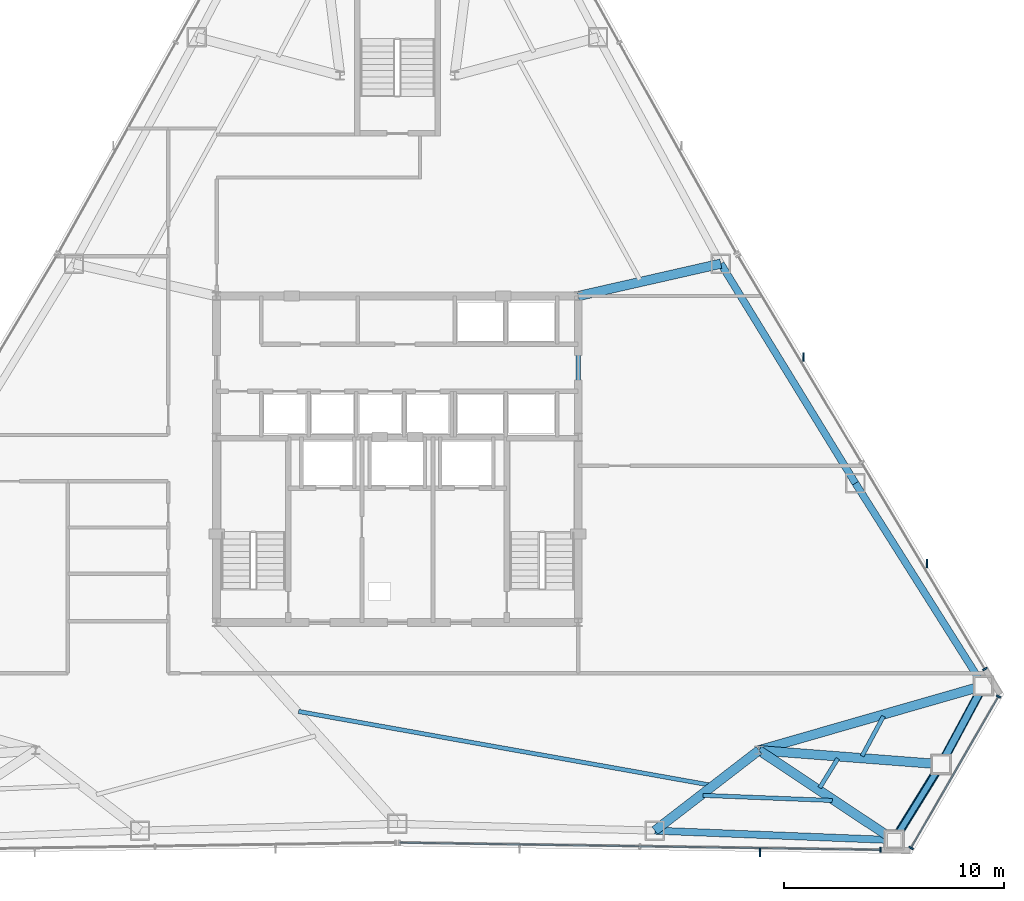
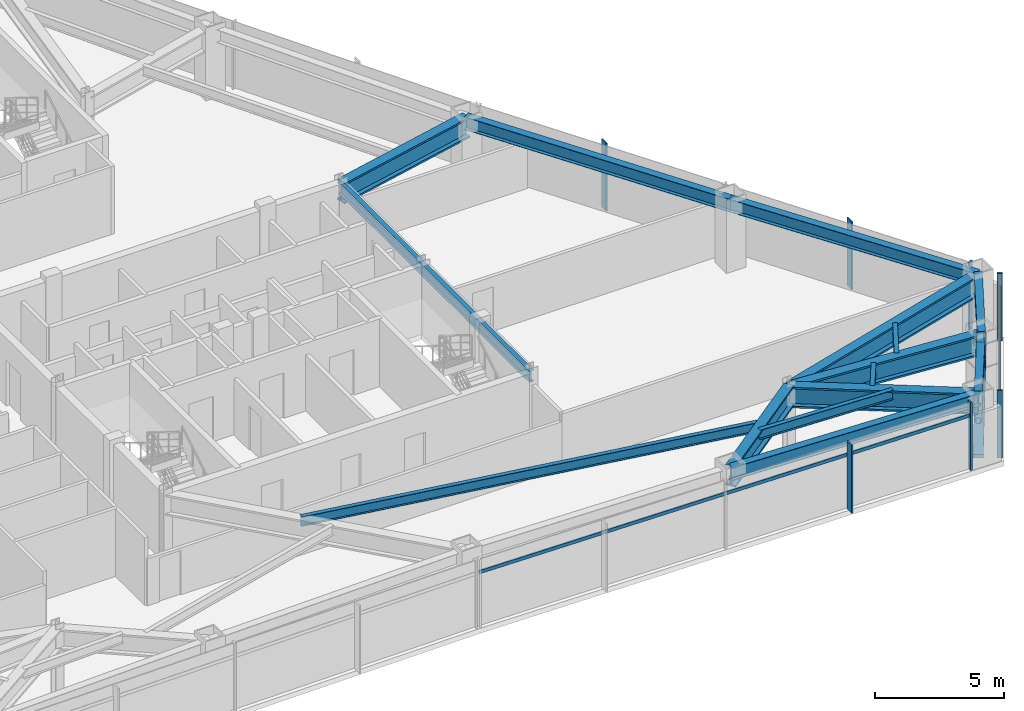
# One storey, part 6 of 13: 15 beams, 12 members, 3 elements without a shape of their own.
"""IFC4 building model written with IfcOpenShell, lengths in metres."""

from ifc_helpers import new_model, si_unit, direction, frame, origin, origin_2d, place, context, subcontext, project, spatial, rectangle, hollow_rectangle, hollow_circle, i_section, extrude, source, transform, mapped, material, layer, layer_set, material_profile, profile_set, type_object, type_shapes, element, aggregate, save


model = new_model("IFC4")

# Units and contexts
model_context = context("Model", 3, precision=1e-05, world=origin(), true_north=direction((0.0, 1.0)))
body_context = subcontext(model_context, "Body", "Model", "MODEL_VIEW")
ifc_project = project(units=[si_unit("LENGTHUNIT", "METRE"), si_unit("AREAUNIT", "SQUARE_METRE"), si_unit("VOLUMEUNIT", "CUBIC_METRE"), si_unit("PLANEANGLEUNIT", "RADIAN"), si_unit("MASSUNIT", "GRAM", prefix="KILO")], contexts=[model_context])

# Site, building, storey
site_placement = place(None, origin())
site = spatial("IfcSite", under=ifc_project, at=site_placement, CompositionType="ELEMENT")
building_placement = place(site_placement, origin())
building = spatial("IfcBuilding", under=site, at=building_placement, Name="Varakhsha Concourse Tower", CompositionType="ELEMENT")
storey_placement = place(building_placement, frame((0.0, 0.0, 147.050048828125)))
storey = spatial("IfcBuildingStorey", under=building, at=storey_placement, Name="L42", CompositionType="ELEMENT", Elevation=147.050048828125)

# Beams
ifc_material_1 = material(Name="Structural Steel ASTM A992 Grade 50", Category="steel")
ifc_material_profile_1 = material_profile(ifc_material_1, i_section(OverallWidth=0.19091796875, OverallDepth=0.45703125, WebThickness=0.009033203125, FlangeThickness=0.013916015625, at=origin_2d()), Name="W18X50")
ifc_profile_set_1 = profile_set([ifc_material_profile_1], Name="Structural Steel ASTM A992 Grade 50")
beam_type_1 = type_object("IfcBeamType", Name="BM-JST-W18X50", PredefinedType="JOIST", material=ifc_profile_set_1)
beam_1_placement = place(storey_placement, frame((35.516357421875, 12.360595703125, 2.9814453125), z_axis=(0.984372712142, -0.176097596777, 0.0), x_axis=(0.176097596777, 0.984372712142, 0.0)))
element("IfcBeam", 1, at=beam_1_placement, inside=storey, type_object=beam_type_1, Name="BM-TJST-L42-11", PredefinedType="JOIST", context=body_context, shape_type="SweptSolid", body=[
    extrude(i_section(OverallWidth=0.19091796875, OverallDepth=0.45703125, WebThickness=0.009033203125, FlangeThickness=0.013916015625, at=origin_2d()), origin(), (0.0, 0.0, 1.0), 18.99365234375),
])
beam_2_placement = place(storey_placement, frame((53.864501953125, 8.5546875, 2.9814453125), z_axis=(0.999213812378, -0.039645392572, 0.0), x_axis=(0.039645392572, 0.999213812378, 0.0)))
element("IfcBeam", 2, at=beam_2_placement, inside=storey, type_object=beam_type_1, Name="BM-TJST-L42-12", PredefinedType="JOIST", context=body_context, shape_type="SweptSolid", body=[
    extrude(i_section(OverallWidth=0.19091796875, OverallDepth=0.45703125, WebThickness=0.009033203125, FlangeThickness=0.013916015625, at=origin_2d()), origin(), (0.0, 0.0, 1.0), 5.862548828125),
])
beam_3_placement = place(storey_placement, frame((59.154541015625, 8.900390625, 2.9814453125), z_axis=(0.525799446458, 0.850608571615, 0.0), x_axis=(-0.850608571615, 0.525799446458, 0.0)))
element("IfcBeam", 3, at=beam_3_placement, inside=storey, type_object=beam_type_1, Name="BM-TJST-L42-13", PredefinedType="JOIST", context=body_context, shape_type="SweptSolid", body=[
    extrude(i_section(OverallWidth=0.19091796875, OverallDepth=0.45703125, WebThickness=0.009033203125, FlangeThickness=0.013916015625, at=origin_2d()), origin(), (0.0, 0.0, 1.0), 1.5595703125),
])
beam_4_placement = place(storey_placement, frame((61.075439453125, 10.34130859375, 2.9814453125), z_axis=(0.473665428996, 0.880704866215, 0.0), x_axis=(-0.880704866215, 0.473665428996, 0.0)))
element("IfcBeam", 4, at=beam_4_placement, inside=storey, type_object=beam_type_1, Name="BM-TJST-L42-14", PredefinedType="JOIST", context=body_context, shape_type="SweptSolid", body=[
    extrude(i_section(OverallWidth=0.19091796875, OverallDepth=0.45703125, WebThickness=0.009033203125, FlangeThickness=0.013916015625, at=origin_2d()), origin(), (0.0, 0.0, 1.0), 2.044677734375),
])
ifc_material_profile_2 = material_profile(ifc_material_1, i_section(OverallWidth=0.2109375, OverallDepth=0.5390625, WebThickness=0.011962890625, FlangeThickness=0.01904296875, at=origin_2d()), Name="W21X73")
ifc_profile_set_2 = profile_set([ifc_material_profile_2], Name="Structural Steel ASTM A992 Grade 50")
beam_type_2 = type_object("IfcBeamType", Name="BM-RAD-W21X73", PredefinedType="BEAM", material=ifc_profile_set_2)
beam_5_placement = place(storey_placement, frame((48.199951171875, 16.39990234375, 2.9404296875), z_axis=(0.0, 1.0, 0.0), x_axis=(-1.0, 0.0, 0.0)))
element("IfcBeam", 5, at=beam_5_placement, inside=storey, type_object=beam_type_2, Name="BM-TCORE-L42-CE", PredefinedType="BEAM", context=body_context, shape_type="SweptSolid", body=[
    extrude(i_section(OverallWidth=0.2109375, OverallDepth=0.5390625, WebThickness=0.011962890625, FlangeThickness=0.01904296875, at=origin_2d()), origin(), (0.0, 0.0, 1.0), 14.800048828125),
])
ifc_material_profile_3 = material_profile(ifc_material_1, i_section(OverallWidth=0.323974609375, OverallDepth=0.611083984375, WebThickness=0.012939453125, FlangeThickness=0.01904296875, at=origin_2d()), Name="W24X104")
ifc_profile_set_3 = profile_set([ifc_material_profile_3], Name="Structural Steel ASTM A992 Grade 50")
beam_type_3 = type_object("IfcBeamType", Name="BM-SPAN-W24X104", PredefinedType="SPANDREL", material=ifc_profile_set_3)
beam_6_placement = place(storey_placement, frame((51.67578125, 6.95556640625, 2.904541015625), z_axis=(0.999212728307, -0.039672705841, 0.0), x_axis=(0.039672705841, 0.999212728307, 0.0)))
element("IfcBeam", 6, at=beam_6_placement, inside=storey, type_object=beam_type_3, Name="BM-SPAN-L42-12", PredefinedType="SPANDREL", context=body_context, shape_type="SweptSolid", body=[
    extrude(i_section(OverallWidth=0.323974609375, OverallDepth=0.611083984375, WebThickness=0.012939453125, FlangeThickness=0.01904296875, at=origin_2d()), origin(), (0.0, 0.0, 1.0), 10.861572265625),
])
beam_7_placement = place(storey_placement, frame((62.52880859375, 6.524658203125, 2.904541015625), z_axis=(0.525874503709, 0.850562170772, 0.0), x_axis=(-0.850562170772, 0.525874503709, 0.0)))
element("IfcBeam", 7, at=beam_7_placement, inside=storey, type_object=beam_type_3, Name="BM-SPAN-L42-13", PredefinedType="SPANDREL", context=body_context, shape_type="SweptSolid", body=[
    extrude(i_section(OverallWidth=0.323974609375, OverallDepth=0.611083984375, WebThickness=0.012939453125, FlangeThickness=0.01904296875, at=origin_2d()), origin(), (0.0, 0.0, 1.0), 4.044677734375),
])
beam_8_placement = place(storey_placement, frame((64.65576171875, 9.96484375, 2.904541015625), z_axis=(0.473693045158, 0.880690012984, 0.0), x_axis=(-0.880690012984, 0.473693045158, 0.0)))
element("IfcBeam", 8, at=beam_8_placement, inside=storey, type_object=beam_type_3, Name="BM-SPAN-L42-14", PredefinedType="SPANDREL", context=body_context, shape_type="SweptSolid", body=[
    extrude(i_section(OverallWidth=0.323974609375, OverallDepth=0.611083984375, WebThickness=0.012939453125, FlangeThickness=0.01904296875, at=origin_2d()), origin(), (0.0, 0.0, 1.0), 4.044921875),
])
beam_9_placement = place(storey_placement, frame((66.57177734375, 13.527099609375, 2.904541015625), z_axis=(-0.533969312185, 0.845503857853, 0.0), x_axis=(-0.845503857853, -0.533969312185, 0.0)))
element("IfcBeam", 9, at=beam_9_placement, inside=storey, type_object=beam_type_3, Name="BM-SPAN-L42-15", PredefinedType="SPANDREL", context=body_context, shape_type="SweptSolid", body=[
    extrude(i_section(OverallWidth=0.323974609375, OverallDepth=0.611083984375, WebThickness=0.012939453125, FlangeThickness=0.01904296875, at=origin_2d()), origin(), (0.0, 0.0, 1.0), 10.861572265625),
])
beam_10_placement = place(storey_placement, frame((60.77197265625, 22.710693359375, 2.904541015625), z_axis=(-0.522655184814, 0.852544167646, 0.0), x_axis=(-0.852544167646, -0.522655184814, 0.0)))
element("IfcBeam", 10, at=beam_10_placement, inside=storey, type_object=beam_type_3, Name="BM-SPAN-L42-16", PredefinedType="SPANDREL", context=body_context, shape_type="SweptSolid", body=[
    extrude(i_section(OverallWidth=0.323974609375, OverallDepth=0.611083984375, WebThickness=0.012939453125, FlangeThickness=0.01904296875, at=origin_2d()), origin(), (0.0, 0.0, 1.0), 11.6796875),
])
ifc_material_profile_4 = material_profile(ifc_material_1, i_section(OverallWidth=0.427978515625, OverallDepth=0.97509765625, WebThickness=0.050048828125, FlangeThickness=0.0810546875, at=origin_2d()), Name="W36X395")
ifc_profile_set_4 = profile_set([ifc_material_profile_4], Name="Structural Steel ASTM A992 Grade 50")
beam_type_4 = type_object("IfcBeamType", Name="BM-XFER-W36X395", PredefinedType="USERDEFINED", material=ifc_profile_set_4)
beam_11_placement = place(storey_placement, frame((56.39990234375, 10.60009765625, 2.722412109375), z_axis=(-0.791765293301, -0.610825441778, 0.0), x_axis=(0.610825441778, -0.791765293301, 0.0)))
element("IfcBeam", 11, at=beam_11_placement, inside=storey, type_object=beam_type_4, Name="L42 Radial Floor Girder 12", ObjectType="GIRDER", PredefinedType="USERDEFINED", context=body_context, shape_type="SweptSolid", body=[
    extrude(i_section(OverallWidth=0.427978515625, OverallDepth=0.97509765625, WebThickness=0.050048828125, FlangeThickness=0.0810546875, at=origin_2d()), origin(), (0.0, 0.0, 1.0), 5.966552734375),
])
beam_12_placement = place(storey_placement, frame((56.39990234375, 10.60009765625, 2.722412109375), z_axis=(0.832708011905, -0.553712350332, 0.0), x_axis=(0.553712350332, 0.832708011905, 0.0)))
element("IfcBeam", 12, at=beam_12_placement, inside=storey, type_object=beam_type_4, Name="L42 Radial Floor Girder 13", ObjectType="GIRDER", PredefinedType="USERDEFINED", context=body_context, shape_type="SweptSolid", body=[
    extrude(i_section(OverallWidth=0.427978515625, OverallDepth=0.97509765625, WebThickness=0.050048828125, FlangeThickness=0.0810546875, at=origin_2d()), origin(), (0.0, 0.0, 1.0), 7.360107421875),
])
beam_13_placement = place(storey_placement, frame((56.39990234375, 10.60009765625, 2.722412109375), z_axis=(0.997052750856, -0.076719045946, 0.0), x_axis=(0.076719045946, 0.997052750856, 0.0)))
element("IfcBeam", 13, at=beam_13_placement, inside=storey, type_object=beam_type_4, Name="L42 Radial Floor Girder 14", ObjectType="GIRDER", PredefinedType="USERDEFINED", context=body_context, shape_type="SweptSolid", body=[
    extrude(i_section(OverallWidth=0.427978515625, OverallDepth=0.97509765625, WebThickness=0.050048828125, FlangeThickness=0.0810546875, at=origin_2d()), origin(), (0.0, 0.0, 1.0), 8.2802734375),
])
beam_14_placement = place(storey_placement, frame((56.39990234375, 10.60009765625, 2.722412109375), z_axis=(0.961004351566, 0.27653324623, 0.0), x_axis=(-0.27653324623, 0.961004351566, 0.0)))
element("IfcBeam", 14, at=beam_14_placement, inside=storey, type_object=beam_type_4, Name="L42 Radial Floor Girder 15", ObjectType="GIRDER", PredefinedType="USERDEFINED", context=body_context, shape_type="SweptSolid", body=[
    extrude(i_section(OverallWidth=0.427978515625, OverallDepth=0.97509765625, WebThickness=0.050048828125, FlangeThickness=0.0810546875, at=origin_2d()), origin(), (0.0, 0.0, 1.0), 10.584716796875),
])
beam_15_placement = place(storey_placement, frame((48.199951171875, 31.199951171875, 2.722412109375), z_axis=(0.97518598452, 0.221387207388, 0.0), x_axis=(-0.221387207388, 0.97518598452, 0.0)))
element("IfcBeam", 15, at=beam_15_placement, inside=storey, type_object=beam_type_4, Name="L42 Radial Floor Girder 17", ObjectType="GIRDER", PredefinedType="USERDEFINED", context=body_context, shape_type="SweptSolid", body=[
    extrude(i_section(OverallWidth=0.427978515625, OverallDepth=0.97509765625, WebThickness=0.050048828125, FlangeThickness=0.0810546875, at=origin_2d()), origin(), (0.0, 0.0, 1.0), 6.632080078125),
])

# Members
ifc_material_2 = material(Name="Structural Steel ASTM A500 Grade C", Category="steel")
ifc_material_profile_5 = material_profile(ifc_material_2, hollow_rectangle(XDim=0.39990234375, YDim=0.39990234375, WallThickness=0.01611328125, at=origin_2d()), Name="HSS 400x400x16")
ifc_profile_set_5 = profile_set([ifc_material_profile_5], Name="Structural Steel ASTM A500 Grade C")
member_type_1 = type_object("IfcMemberType", Name="MB-TUBE-HSS400", PredefinedType="BRACE", material=ifc_profile_set_5)
shared_shape_1 = source(origin(), body_context, "Body", "SweptSolid", [
    extrude(hollow_rectangle(XDim=0.39990234375, YDim=0.39990234375, WallThickness=0.01611328125, at=origin_2d()), origin(), (0.0, 0.0, 1.0), 4.91357421875),
])
member_1_placement = place(storey_placement, frame((62.52880859375, 6.524658203125, 0.119873046875), z_axis=(0.4328736846, 0.70014039138, 0.567823745135), x_axis=(-0.850562170772, 0.525874503709, 0.0)))
element("IfcMember", 16, at=member_1_placement, inside=storey, type_object=member_type_1, Name="L42 Wind-Corner Tube Brace B05", PredefinedType="BRACE", context=body_context, shape_type="MappedRepresentation", body=[
    mapped(shared_shape_1, transform((0.0, 0.0, 0.0), scale=1.0)),
])
shared_shape_2 = source(origin(), body_context, "Body", "SweptSolid", [
    extrude(hollow_rectangle(XDim=0.39990234375, YDim=0.39990234375, WallThickness=0.01611328125, at=origin_2d()), origin(), (0.0, 0.0, 1.0), 4.913818359375),
])
type_shapes(member_type_1, [shared_shape_1, shared_shape_2])
member_2_placement = place(storey_placement, frame((66.57177734375, 13.527099609375, 0.119873046875), z_axis=(-0.389928102475, -0.724954248626, 0.567800503961), x_axis=(0.880690012984, -0.473693045158, 0.0)))
element("IfcMember", 17, at=member_2_placement, inside=storey, type_object=member_type_1, Name="L42 Wind-Corner Tube Brace B06", PredefinedType="BRACE", context=body_context, shape_type="MappedRepresentation", body=[
    mapped(shared_shape_2, transform((0.0, 0.0, 0.0), scale=1.0)),
])
ifc_material_profile_6 = material_profile(ifc_material_2, hollow_circle(Radius=0.136474609375, WallThickness=0.011962890625, at=origin_2d()), Name="CHS 273x12")
ifc_profile_set_6 = profile_set([ifc_material_profile_6], Name="Structural Steel ASTM A500 Grade C")
member_type_2 = type_object("IfcMemberType", Name="MB-WIND-CHS273", PredefinedType="COLLAR", material=ifc_profile_set_6)
shared_shape_3 = source(origin(), body_context, "Body", "SweptSolid", [
    extrude(hollow_circle(Radius=0.136474609375, WallThickness=0.011962890625, at=origin_2d()), origin(), (0.0, 0.0, 1.0), 4.044677734375),
])
type_shapes(member_type_2, [shared_shape_3])
member_3_placement = place(storey_placement, frame((62.52880859375, 6.524658203125, 1.800048828125), z_axis=(0.525874503709, 0.850562170772, 0.0), x_axis=(-0.850562170772, 0.525874503709, 0.0)))
element("IfcMember", 18, at=member_3_placement, inside=storey, type_object=member_type_2, Name="L42 Wind-Corner Collar Tie 3", PredefinedType="COLLAR", context=body_context, shape_type="MappedRepresentation", body=[
    mapped(shared_shape_3, transform((0.0, 0.0, 0.0), scale=1.0)),
])

# Curtain wall, member
ifc_material_3 = material(Name="Anodised Bronze Architectural Aluminium AA 6063-T6", Category="aluminium")
ifc_layer = layer(ifc_material_3, 0.2099609375, Name="CW-SYS-04")
ifc_layer_set = layer_set([ifc_layer], Name="Anodised Bronze Architectural Aluminium AA 6063-T6")
curtain_wall_type = type_object("IfcCurtainWallType", Name="CW-SYS-04", PredefinedType="NOTDEFINED", material=ifc_layer_set)
curtain_wall_1_placement = place(storey_placement, origin())
curtain_wall_1 = element("IfcCurtainWall", 19, at=curtain_wall_1_placement, inside=storey, type_object=curtain_wall_type, Name="L42 Crystal Curtain Wall F6", PredefinedType="NOTDEFINED")
ifc_material_profile_7 = material_profile(ifc_material_3, rectangle(XDim=0.074951171875, YDim=0.219970703125, at=origin_2d()), Name="CWM-220X75")
ifc_profile_set_7 = profile_set([ifc_material_profile_7], Name="Anodised Bronze Architectural Aluminium AA 6063-T6")
member_type_3 = type_object("IfcMemberType", Name="CWM-220X75", PredefinedType="MULLION", material=ifc_profile_set_7)
shared_shape_4 = source(origin(), body_context, "Body", "SweptSolid", [
    extrude(rectangle(XDim=0.074951171875, YDim=0.219970703125, at=origin_2d()), origin(), (0.0, 0.0, 1.0), 3.2099609375),
])
type_shapes(member_type_3, [shared_shape_4])
member_4_placement = place(storey_placement, frame((61.90771484375, 6.081298828125, 0.0), z_axis=(0.0, 0.0, 1.0), x_axis=(-0.99988654105, 0.015063367057, 0.0)))
member_4 = element("IfcMember", 20, at=member_4_placement, type_object=member_type_3, Name="CW-L42-F6 Mullion 00", PredefinedType="MULLION", context=body_context, shape_type="MappedRepresentation", body=[
    mapped(shared_shape_4, transform((0.0, 0.0, 0.0), scale=1.0)),
])

# Curtain wall, members
curtain_wall_2_placement = place(storey_placement, origin())
curtain_wall_2 = element("IfcCurtainWall", 21, at=curtain_wall_2_placement, inside=storey, type_object=curtain_wall_type, Name="L42 Chamfer Curtain Wall F7", PredefinedType="NOTDEFINED")
member_5_placement = place(storey_placement, frame((67.26220703125, 13.039306640625, 0.0), z_axis=(0.0, 0.0, 1.0), x_axis=(-0.5, -0.866025403784, 0.0)))
member_5 = element("IfcMember", 22, at=member_5_placement, type_object=member_type_3, Name="CW-L42-F7 Mullion 00", PredefinedType="MULLION", context=body_context, shape_type="MappedRepresentation", body=[
    mapped(shared_shape_4, transform((0.0, 0.0, 0.0), scale=1.0)),
])
member_6_placement = place(storey_placement, frame((63.29638671875, 6.17041015625, 0.0), z_axis=(0.0, 0.0, 1.0), x_axis=(-0.5, -0.866025403784, 0.0)))
member_6 = element("IfcMember", 23, at=member_6_placement, type_object=member_type_3, Name="CW-L42-F7 Mullion 01", PredefinedType="MULLION", context=body_context, shape_type="MappedRepresentation", body=[
    mapped(shared_shape_4, transform((0.0, 0.0, 0.0), scale=1.0)),
])

# Curtain wall, member
curtain_wall_3_placement = place(storey_placement, origin())
curtain_wall_3 = element("IfcCurtainWall", 24, at=curtain_wall_3_placement, inside=storey, type_object=curtain_wall_type, Name="L42 Crystal Curtain Wall F8", PredefinedType="NOTDEFINED")
member_7_placement = place(storey_placement, frame((66.64501953125, 14.28662109375, 0.0), z_axis=(0.0, 0.0, 1.0), x_axis=(0.512984034508, -0.858398147913, 0.0)))
member_7 = element("IfcMember", 25, at=member_7_placement, type_object=member_type_3, Name="CW-L42-F8 Mullion 02", PredefinedType="MULLION", context=body_context, shape_type="MappedRepresentation", body=[
    mapped(shared_shape_4, transform((0.0, 0.0, 0.0), scale=1.0)),
])

# Member
ifc_material_profile_8 = material_profile(ifc_material_3, rectangle(XDim=0.06005859375, YDim=0.3798828125, at=origin_2d()), Name="FIN-BRZ-380")
ifc_profile_set_8 = profile_set([ifc_material_profile_8], Name="Anodised Bronze Architectural Aluminium AA 6063-T6")
member_type_4 = type_object("IfcMemberType", Name="FIN-BRZ-380", PredefinedType="USERDEFINED", material=ifc_profile_set_8)
shared_shape_5 = source(origin(), body_context, "Body", "SweptSolid", [
    extrude(rectangle(XDim=0.06005859375, YDim=0.3798828125, at=origin_2d()), origin(), (0.0, 0.0, 1.0), 3.2099609375),
])
type_shapes(member_type_4, [shared_shape_5])
member_8_placement = place(storey_placement, frame((56.4482421875, 5.95849609375, 0.0), z_axis=(0.0, 0.0, 1.0), x_axis=(1.0, 0.0, 0.0)))
member_8 = element("IfcMember", 26, at=member_8_placement, type_object=member_type_4, Name="L42 Anodised Bronze Solar Fin F6-1", ObjectType="SOLAR FIN", PredefinedType="USERDEFINED", context=body_context, shape_type="MappedRepresentation", body=[
    mapped(shared_shape_5, transform((0.0, 0.0, 0.0), scale=1.0)),
])

member_9_placement = place(storey_placement, frame((58.423095703125, 28.444580078125, 0.0), z_axis=(0.0, 0.0, 1.0), x_axis=(1.0, 0.0, 0.0)))
member_9 = element("IfcMember", 27, at=member_9_placement, type_object=member_type_4, Name="L42 Anodised Bronze Solar Fin F8-1", ObjectType="SOLAR FIN", PredefinedType="USERDEFINED", context=body_context, shape_type="MappedRepresentation", body=[
    mapped(shared_shape_5, transform((0.0, 0.0, 0.0), scale=1.0)),
])

member_10_placement = place(storey_placement, frame((64.021484375, 19.076171875, 0.0), z_axis=(0.0, 0.0, 1.0), x_axis=(1.0, 0.0, 0.0)))
member_10 = element("IfcMember", 28, at=member_10_placement, type_object=member_type_4, Name="L42 Anodised Bronze Solar Fin F8-2", ObjectType="SOLAR FIN", PredefinedType="USERDEFINED", context=body_context, shape_type="MappedRepresentation", body=[
    mapped(shared_shape_5, transform((0.0, 0.0, 0.0), scale=1.0)),
])

aggregate(curtain_wall_3, [member_7, member_9, member_10])

ifc_material_profile_9 = material_profile(ifc_material_3, rectangle(XDim=0.06494140625, YDim=0.159912109375, at=origin_2d()), Name="CWT-160X65")
ifc_profile_set_9 = profile_set([ifc_material_profile_9], Name="Anodised Bronze Architectural Aluminium AA 6063-T6")
member_type_5 = type_object("IfcMemberType", Name="CWT-160X65", PredefinedType="USERDEFINED", material=ifc_profile_set_9)
shared_shape_6 = source(origin(), body_context, "Body", "SweptSolid", [
    extrude(rectangle(XDim=0.06494140625, YDim=0.159912109375, at=origin_2d()), origin(), (0.0, 0.0, 1.0), 21.82763671875),
])
member_11_placement = place(storey_placement, frame((61.90771484375, 6.081298828125, 2.56005859375), z_axis=(-0.999886500205, 0.015066078077, 0.0), x_axis=(-0.015066078077, -0.999886500205, 0.0)))
member_11 = element("IfcMember", 29, at=member_11_placement, type_object=member_type_5, Name="CW-L42-F6 Transom 01", ObjectType="TRANSOM", PredefinedType="USERDEFINED", context=body_context, shape_type="MappedRepresentation", body=[
    mapped(shared_shape_6, transform((0.0, 0.0, 0.0), scale=1.0)),
])

aggregate(curtain_wall_1, [member_4, member_11, member_8])

shared_shape_7 = source(origin(), body_context, "Body", "SweptSolid", [
    extrude(rectangle(XDim=0.06494140625, YDim=0.159912109375, at=origin_2d()), origin(), (0.0, 0.0, 1.0), 7.931640625),
])
type_shapes(member_type_5, [shared_shape_6, shared_shape_7])
member_12_placement = place(storey_placement, frame((67.26220703125, 13.039306640625, 2.56005859375), z_axis=(-0.500005775488, -0.866022069279, 0.0), x_axis=(0.866022069279, -0.500005775488, 0.0)))
member_12 = element("IfcMember", 30, at=member_12_placement, type_object=member_type_5, Name="CW-L42-F7 Transom 01", ObjectType="TRANSOM", PredefinedType="USERDEFINED", context=body_context, shape_type="MappedRepresentation", body=[
    mapped(shared_shape_7, transform((0.0, 0.0, 0.0), scale=1.0)),
])

aggregate(curtain_wall_2, [member_5, member_6, member_12])

save(model, "model.ifc")
